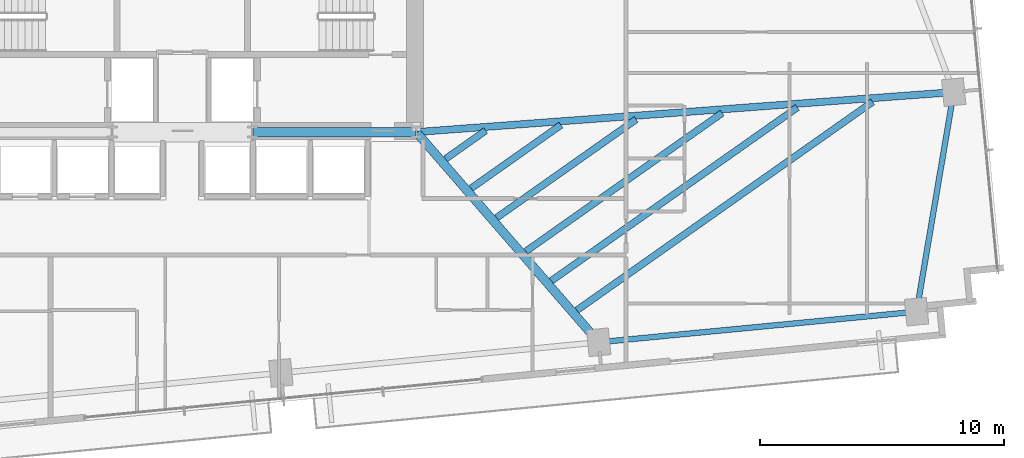
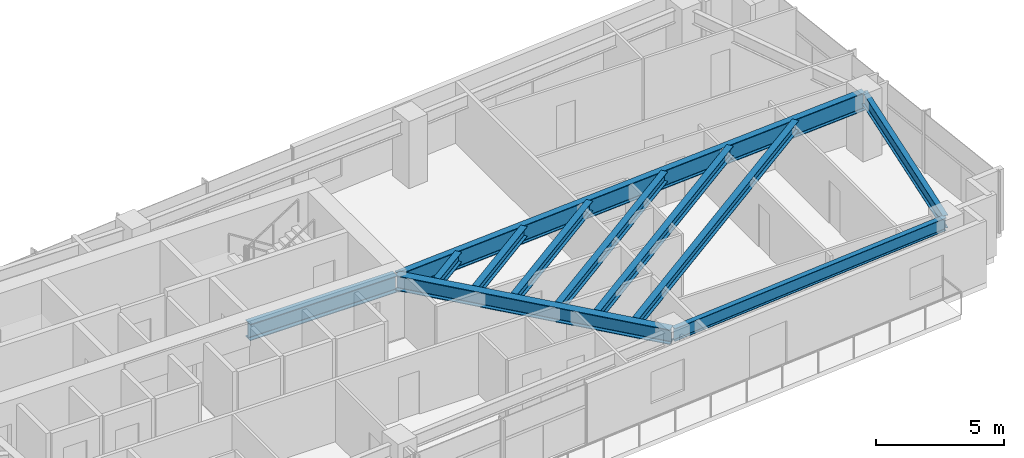
# One storey, part 13 of 25: 11 beams.
"""IFC4 building model written with IfcOpenShell, lengths in metres."""

from ifc_helpers import new_model, si_unit, direction, frame, origin, origin_2d, place, context, subcontext, project, spatial, i_section, extrude, source, transform, mapped, material, material_profile, profile_set, type_object, type_shapes, element, save


model = new_model("IFC4")

# Units and contexts
model_context = context("Model", 3, precision=1e-05, world=origin(), true_north=direction((0.0, 1.0)))
body_context = subcontext(model_context, "Body", "Model", "MODEL_VIEW")
ifc_project = project(units=[si_unit("LENGTHUNIT", "METRE"), si_unit("AREAUNIT", "SQUARE_METRE"), si_unit("VOLUMEUNIT", "CUBIC_METRE"), si_unit("PLANEANGLEUNIT", "RADIAN"), si_unit("MASSUNIT", "GRAM", prefix="KILO")], contexts=[model_context])

# Site, building, storey
site_placement = place(None, origin())
site = spatial("IfcSite", under=ifc_project, at=site_placement, CompositionType="ELEMENT")
building_placement = place(site_placement, origin())
building = spatial("IfcBuilding", under=site, at=building_placement, Name="Astriad Promenade Condominiums", CompositionType="ELEMENT")
storey_placement = place(building_placement, frame((0.0, 0.0, 81.0)))
storey = spatial("IfcBuildingStorey", under=building, at=storey_placement, Name="L22", CompositionType="ELEMENT", Elevation=81.0)

# Beams
ifc_material = material(Name="Steel ASTM A992 Grade 50", Category="steel")
ifc_material_profile_1 = material_profile(ifc_material, i_section(OverallWidth=0.3837890625, OverallDepth=0.785888671875, WebThickness=0.019775390625, FlangeThickness=0.033447265625, FilletRadius=0.021484375, at=origin_2d()), Name="W30X211")
ifc_profile_set_1 = profile_set([ifc_material_profile_1], Name="Steel ASTM A992 Grade 50")
beam_type_1 = type_object("IfcBeamType", Name="STEEL FLOOR GIRDER W30X211", PredefinedType="BEAM", material=ifc_profile_set_1)
shared_shape_1 = source(origin(), body_context, "Body", "SweptSolid", [
    extrude(i_section(OverallWidth=0.3837890625, OverallDepth=0.785888671875, WebThickness=0.019775390625, FlangeThickness=0.033447265625, FilletRadius=0.021484375, at=origin_2d()), origin(), (0.0, 0.0, 1.0), 6.64013671875),
])
type_shapes(beam_type_1, [shared_shape_1])
beam_1_placement = place(storey_placement, frame((38.919921875, 17.39990234375, 2.547119140625), z_axis=(1.0, 0.0, 0.0), x_axis=(0.0, 1.0, 0.0)))
element("IfcBeam", 1, at=beam_1_placement, inside=storey, type_object=beam_type_1, Name="Core Ring Beam CG-S3-L22", PredefinedType="BEAM", context=body_context, shape_type="MappedRepresentation", body=[
    mapped(shared_shape_1, transform((0.0, 0.0, 0.0), scale=1.0)),
])
ifc_material_profile_2 = material_profile(ifc_material, i_section(OverallWidth=0.22900390625, OverallDepth=0.612060546875, WebThickness=0.011962890625, FlangeThickness=0.01953125, FilletRadius=0.017822265625, at=origin_2d()), Name="W24X84")
ifc_profile_set_2 = profile_set([ifc_material_profile_2], Name="Steel ASTM A992 Grade 50")
beam_type_2 = type_object("IfcBeamType", Name="STEEL SPANDREL BEAM W24X84", PredefinedType="SPANDREL", material=ifc_profile_set_2)
shared_shape_2 = source(origin(), body_context, "Body", "SweptSolid", [
    extrude(i_section(OverallWidth=0.22900390625, OverallDepth=0.612060546875, WebThickness=0.011962890625, FlangeThickness=0.01953125, FilletRadius=0.017822265625, at=origin_2d()), origin(), (0.0, 0.0, 1.0), 13.020263671875),
])
beam_2_placement = place(storey_placement, frame((53.124755859375, 8.780029296875, 2.6337890625), z_axis=(0.995395311238, 0.095854965264, 0.0), x_axis=(-0.095854965264, 0.995395311238, 0.0)))
element("IfcBeam", 2, at=beam_2_placement, inside=storey, type_object=beam_type_2, Name="Perimeter Spandrel Beam SP-S4-L22", PredefinedType="SPANDREL", context=body_context, shape_type="MappedRepresentation", body=[
    mapped(shared_shape_2, transform((0.0, 0.0, 0.0), scale=1.0)),
])
shared_shape_3 = source(origin(), body_context, "Body", "SweptSolid", [
    extrude(i_section(OverallWidth=0.22900390625, OverallDepth=0.612060546875, WebThickness=0.011962890625, FlangeThickness=0.01953125, FilletRadius=0.017822265625, at=origin_2d()), origin(), (0.0, 0.0, 1.0), 9.055419921875),
])
type_shapes(beam_type_2, [shared_shape_2, shared_shape_3])
beam_3_placement = place(storey_placement, frame((66.13134765625, 10.0712890625, 2.6337890625), z_axis=(0.166776851291, 0.98599466625, 0.0), x_axis=(-0.98599466625, 0.166776851291, 0.0)))
element("IfcBeam", 3, at=beam_3_placement, inside=storey, type_object=beam_type_2, Name="Perimeter Spandrel Beam SP-E1-L22", PredefinedType="SPANDREL", context=body_context, shape_type="MappedRepresentation", body=[
    mapped(shared_shape_3, transform((0.0, 0.0, 0.0), scale=1.0)),
])
ifc_material_profile_3 = material_profile(ifc_material, i_section(OverallWidth=0.35791015625, OverallDepth=0.706298828125, WebThickness=0.018310546875, FlangeThickness=0.0302734375, FilletRadius=0.020263671875, at=origin_2d()), Name="W27X178")
ifc_profile_set_3 = profile_set([ifc_material_profile_3], Name="Steel ASTM A992 Grade 50")
beam_type_3 = type_object("IfcBeamType", Name="STEEL FLOOR GIRDER W27X178", PredefinedType="BEAM", material=ifc_profile_set_3)
shared_shape_4 = source(origin(), body_context, "Body", "SweptSolid", [
    extrude(i_section(OverallWidth=0.35791015625, OverallDepth=0.706298828125, WebThickness=0.018310546875, FlangeThickness=0.0302734375, FilletRadius=0.020263671875, at=origin_2d()), origin(), (0.0, 0.0, 1.0), 11.339111328125),
])
type_shapes(beam_type_3, [shared_shape_4])
beam_4_placement = place(storey_placement, frame((53.058837890625, 8.806396484375, 2.5869140625), z_axis=(-0.65548120109, 0.755211490258, 0.0), x_axis=(-0.755211490258, -0.65548120109, 0.0)))
element("IfcBeam", 4, at=beam_4_placement, inside=storey, type_object=beam_type_3, Name="Primary Floor Girder PG-E2-L22", PredefinedType="BEAM", context=body_context, shape_type="MappedRepresentation", body=[
    mapped(shared_shape_4, transform((0.0, 0.0, 0.0), scale=1.0)),
])
ifc_material_profile_4 = material_profile(ifc_material, i_section(OverallWidth=0.2919921875, OverallDepth=0.85888671875, WebThickness=0.01708984375, FlangeThickness=0.031005859375, FilletRadius=0.02294921875, at=origin_2d()), Name="W33X169")
ifc_profile_set_4 = profile_set([ifc_material_profile_4], Name="Steel ASTM A992 Grade 50")
beam_type_4 = type_object("IfcBeamType", Name="STEEL PRIMARY GIRDER W33X169", PredefinedType="BEAM", material=ifc_profile_set_4)
shared_shape_5 = source(origin(), body_context, "Body", "SweptSolid", [
    extrude(i_section(OverallWidth=0.2919921875, OverallDepth=0.85888671875, WebThickness=0.01708984375, FlangeThickness=0.031005859375, FilletRadius=0.02294921875, at=origin_2d()), origin(), (0.0, 0.0, 1.0), 22.029052734375),
])
type_shapes(beam_type_4, [shared_shape_5])
beam_5_placement = place(storey_placement, frame((67.6083984375, 19.036376953125, 2.510498046875), z_axis=(-0.99724763887, -0.074142745897, 0.0), x_axis=(0.074142745897, -0.99724763887, 0.0)))
element("IfcBeam", 5, at=beam_5_placement, inside=storey, type_object=beam_type_4, Name="Primary Floor Girder PG-EM-L22", PredefinedType="BEAM", context=body_context, shape_type="MappedRepresentation", body=[
    mapped(shared_shape_5, transform((0.0, 0.0, 0.0), scale=1.0)),
])
ifc_material_profile_5 = material_profile(ifc_material, i_section(OverallWidth=0.283203125, OverallDepth=0.47216796875, WebThickness=0.013671875, FlangeThickness=0.022216796875, FilletRadius=0.01513671875, at=origin_2d()), Name="W18X97")
ifc_profile_set_5 = profile_set([ifc_material_profile_5], Name="Steel ASTM A992 Grade 50")
beam_type_5 = type_object("IfcBeamType", Name="STEEL FLOOR JOIST W18X97", PredefinedType="JOIST", material=ifc_profile_set_5)
shared_shape_6 = source(origin(), body_context, "Body", "SweptSolid", [
    extrude(i_section(OverallWidth=0.283203125, OverallDepth=0.47216796875, WebThickness=0.013671875, FlangeThickness=0.022216796875, FilletRadius=0.01513671875, at=origin_2d()), origin(), (0.0, 0.0, 1.0), 14.838134765625),
])
beam_6_placement = place(storey_placement, frame((52.192138671875, 10.093017578125, 2.703857421875), z_axis=(0.817419044294, 0.576043493171, 0.0), x_axis=(-0.576043493171, 0.817419044294, 0.0)))
element("IfcBeam", 6, at=beam_6_placement, inside=storey, type_object=beam_type_5, Name="Secondary Composite Floor Joist JE1-1-L22", PredefinedType="JOIST", context=body_context, shape_type="MappedRepresentation", body=[
    mapped(shared_shape_6, transform((0.0, 0.0, 0.0), scale=1.0)),
])
shared_shape_7 = source(origin(), body_context, "Body", "SweptSolid", [
    extrude(i_section(OverallWidth=0.283203125, OverallDepth=0.47216796875, WebThickness=0.013671875, FlangeThickness=0.022216796875, FilletRadius=0.01513671875, at=origin_2d()), origin(), (0.0, 0.0, 1.0), 12.34375),
])
beam_7_placement = place(storey_placement, frame((51.144287109375, 11.30029296875, 2.703857421875), z_axis=(0.817418723738, 0.576043948048, 0.0), x_axis=(-0.576043948048, 0.817418723738, 0.0)))
element("IfcBeam", 7, at=beam_7_placement, inside=storey, type_object=beam_type_5, Name="Secondary Composite Floor Joist JE1-2-L22", PredefinedType="JOIST", context=body_context, shape_type="MappedRepresentation", body=[
    mapped(shared_shape_7, transform((0.0, 0.0, 0.0), scale=1.0)),
])
shared_shape_8 = source(origin(), body_context, "Body", "SweptSolid", [
    extrude(i_section(OverallWidth=0.283203125, OverallDepth=0.47216796875, WebThickness=0.013671875, FlangeThickness=0.022216796875, FilletRadius=0.01513671875, at=origin_2d()), origin(), (0.0, 0.0, 1.0), 9.849609375),
])
beam_8_placement = place(storey_placement, frame((50.096435546875, 12.507568359375, 2.703857421875), z_axis=(0.817418240833, 0.5760446333, 0.0), x_axis=(-0.5760446333, 0.817418240833, 0.0)))
element("IfcBeam", 8, at=beam_8_placement, inside=storey, type_object=beam_type_5, Name="Secondary Composite Floor Joist JE1-3-L22", PredefinedType="JOIST", context=body_context, shape_type="MappedRepresentation", body=[
    mapped(shared_shape_8, transform((0.0, 0.0, 0.0), scale=1.0)),
])
shared_shape_9 = source(origin(), body_context, "Body", "SweptSolid", [
    extrude(i_section(OverallWidth=0.283203125, OverallDepth=0.47216796875, WebThickness=0.013671875, FlangeThickness=0.022216796875, FilletRadius=0.01513671875, at=origin_2d()), origin(), (0.0, 0.0, 1.0), 6.9990234375),
])
beam_9_placement = place(storey_placement, frame((48.898681640625, 13.88720703125, 2.703857421875), z_axis=(0.81742196028, 0.576039355298, 0.0), x_axis=(-0.576039355298, 0.81742196028, 0.0)))
element("IfcBeam", 9, at=beam_9_placement, inside=storey, type_object=beam_type_5, Name="Secondary Composite Floor Joist JE1-4-L22", PredefinedType="JOIST", context=body_context, shape_type="MappedRepresentation", body=[
    mapped(shared_shape_9, transform((0.0, 0.0, 0.0), scale=1.0)),
])
shared_shape_10 = source(origin(), body_context, "Body", "SweptSolid", [
    extrude(i_section(OverallWidth=0.283203125, OverallDepth=0.47216796875, WebThickness=0.013671875, FlangeThickness=0.022216796875, FilletRadius=0.01513671875, at=origin_2d()), origin(), (0.0, 0.0, 1.0), 4.504638671875),
])
beam_10_placement = place(storey_placement, frame((47.850830078125, 15.0947265625, 2.703857421875), z_axis=(0.817448215019, 0.576002097012, 0.0), x_axis=(-0.576002097012, 0.817448215019, 0.0)))
element("IfcBeam", 10, at=beam_10_placement, inside=storey, type_object=beam_type_5, Name="Secondary Composite Floor Joist JE1-5-L22", PredefinedType="JOIST", context=body_context, shape_type="MappedRepresentation", body=[
    mapped(shared_shape_10, transform((0.0, 0.0, 0.0), scale=1.0)),
])
shared_shape_11 = source(origin(), body_context, "Body", "SweptSolid", [
    extrude(i_section(OverallWidth=0.283203125, OverallDepth=0.47216796875, WebThickness=0.013671875, FlangeThickness=0.022216796875, FilletRadius=0.01513671875, at=origin_2d()), origin(), (0.0, 0.0, 1.0), 2.01025390625),
])
type_shapes(beam_type_5, [shared_shape_6, shared_shape_7, shared_shape_8, shared_shape_9, shared_shape_10, shared_shape_11])
beam_11_placement = place(storey_placement, frame((46.802978515625, 16.302001953125, 2.703857421875), z_axis=(0.8174421453, 0.576010710913, 0.0), x_axis=(-0.576010710913, 0.8174421453, 0.0)))
element("IfcBeam", 11, at=beam_11_placement, inside=storey, type_object=beam_type_5, Name="Secondary Composite Floor Joist JE1-6-L22", PredefinedType="JOIST", context=body_context, shape_type="MappedRepresentation", body=[
    mapped(shared_shape_11, transform((0.0, 0.0, 0.0), scale=1.0)),
])

save(model, "model.ifc")
